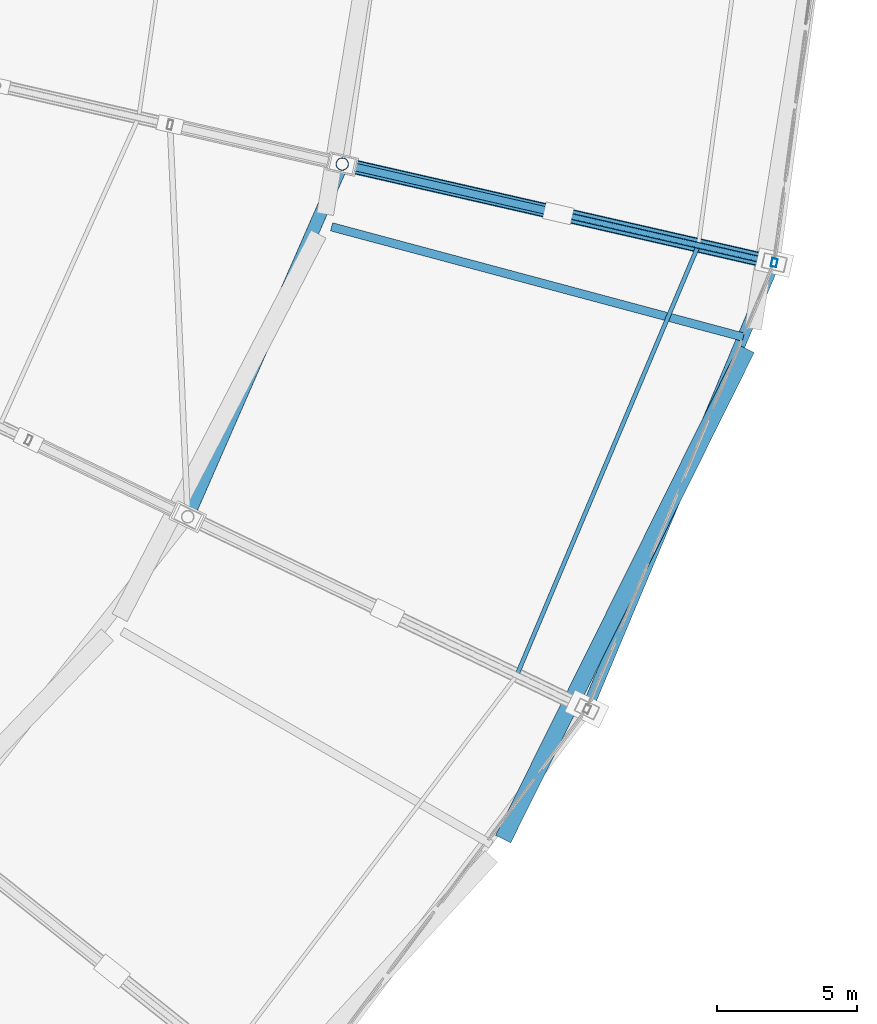
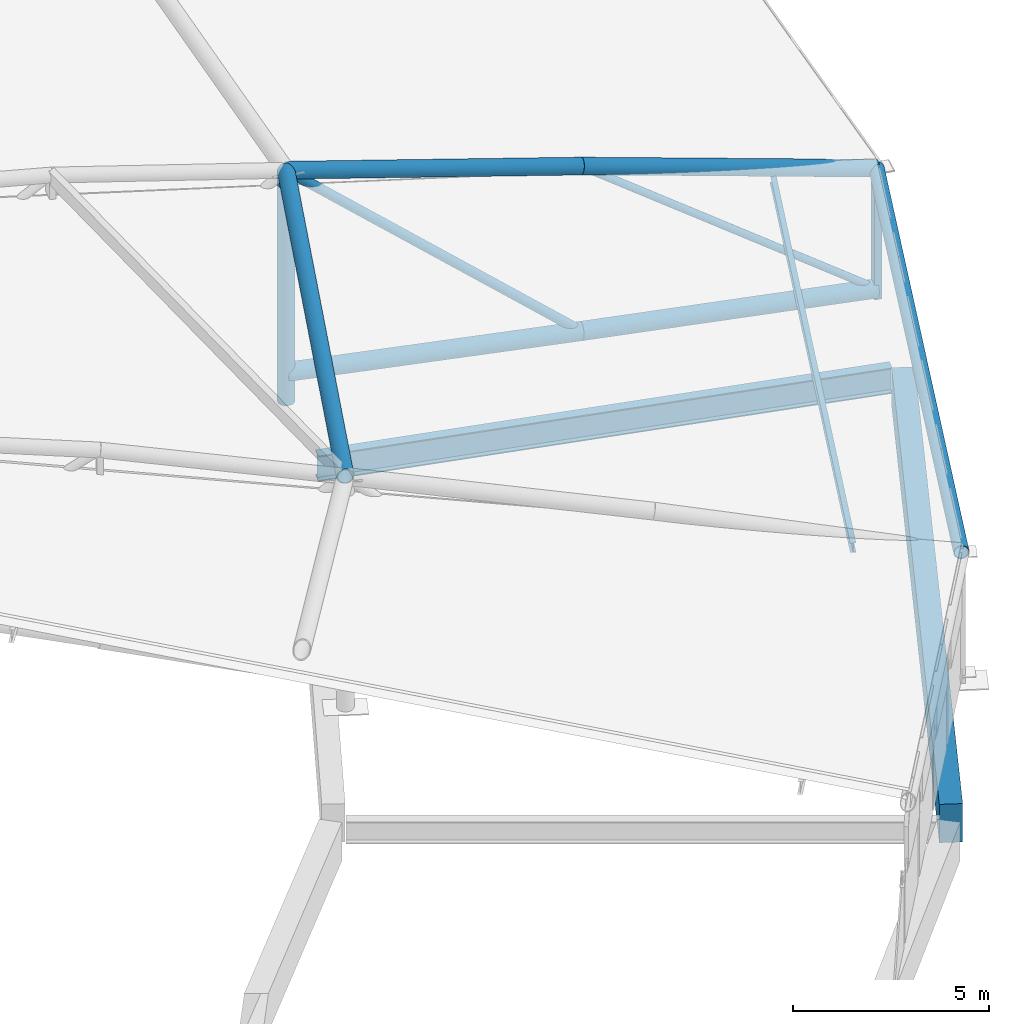
# One storey, part 68 of 108: 11 members, 2 beams.
"""IFC4 building model written with IfcOpenShell, lengths in metres."""

from ifc_helpers import new_model, si_unit, direction, frame, origin, origin_2d, place, context, subcontext, project, spatial, rectangle, hollow_rectangle, hollow_circle, i_section, extrude, material, material_profile, profile_set, type_object, element, save


model = new_model("IFC4")

# Units and contexts
model_context = context("Model", 3, precision=1e-05, world=origin(), true_north=direction((0.0, 1.0)))
body_context = subcontext(model_context, "Body", "Model", "MODEL_VIEW")
ifc_project = project(units=[si_unit("LENGTHUNIT", "METRE"), si_unit("AREAUNIT", "SQUARE_METRE"), si_unit("VOLUMEUNIT", "CUBIC_METRE"), si_unit("PLANEANGLEUNIT", "RADIAN"), si_unit("MASSUNIT", "GRAM", prefix="KILO")], contexts=[model_context])

# Site, building, storey
site_placement = place(None, origin())
site = spatial("IfcSite", under=ifc_project, at=site_placement, CompositionType="ELEMENT")
building_placement = place(site_placement, origin())
building = spatial("IfcBuilding", under=site, at=building_placement, Name="Zevraka Park Crest Stadium", CompositionType="ELEMENT")
storey_placement = place(building_placement, frame((0.0, 0.0, 29.39990234375)))
storey = spatial("IfcBuildingStorey", under=building, at=storey_placement, Name="RF", CompositionType="ELEMENT", Elevation=29.39990234375)

# Beam
ifc_material_1 = material(Name="Steel S355", Category="steel")
ifc_material_profile_1 = material_profile(ifc_material_1, i_section(OverallWidth=0.300048828125, OverallDepth=0.800048828125, WebThickness=0.017578125, FlangeThickness=0.032958984375, at=origin_2d()), Name="HEB 800")
ifc_profile_set_1 = profile_set([ifc_material_profile_1], Name="Steel S355")
beam_type_1 = type_object("IfcBeamType", Name="BG10", PredefinedType="BEAM", material=ifc_profile_set_1)
beam_1_placement = place(storey_placement, frame((184.2509765625, 76.52197265625, -0.534912109375), z_axis=(0.965945614181, -0.25874518439, 0.0), x_axis=(0.25874518439, 0.965945614181, 0.0)))
element("IfcBeam", 1, at=beam_1_placement, inside=storey, type_object=beam_type_1, Name="Radial Girder BG10 RF-BD-23", PredefinedType="BEAM", context=body_context, shape_type="SweptSolid", body=[
    extrude(i_section(OverallWidth=0.300048828125, OverallDepth=0.800048828125, WebThickness=0.017578125, FlangeThickness=0.032958984375, at=origin_2d()), origin(), (0.0, 0.0, 1.0), 15.19970703125),
])

# Member
ifc_material_2 = material(Name="Steel S355", Category="steel")
ifc_material_profile_2 = material_profile(ifc_material_2, i_section(OverallWidth=0.14990234375, OverallDepth=0.300048828125, WebThickness=0.007080078125, FlangeThickness=0.0107421875, at=origin_2d()), Name="IPE 300")
ifc_profile_set_2 = profile_set([ifc_material_profile_2], Name="Steel S355")
member_type_1 = type_object("IfcMemberType", Name="PR02", PredefinedType="PURLIN", material=ifc_profile_set_2)
member_1_placement = place(storey_placement, frame((190.85595703125, 60.532958984375, 4.287109375), z_axis=(0.389065562853, 0.921210067141, 0.0), x_axis=(-0.921210067141, 0.389065562853, 0.0)))
element("IfcMember", 2, at=member_1_placement, inside=storey, type_object=member_type_1, Name="Canopy Roof Purlin PR02 OUTER-27-1", PredefinedType="PURLIN", context=body_context, shape_type="SweptSolid", body=[
    extrude(i_section(OverallWidth=0.14990234375, OverallDepth=0.300048828125, WebThickness=0.007080078125, FlangeThickness=0.0107421875, at=origin_2d()), origin(), (0.0, 0.0, 1.0), 16.64013671875),
])

# Beam
ifc_material_3 = material(Name="Concrete C40/50", Category="concrete")
ifc_material_profile_3 = material_profile(ifc_material_3, rectangle(XDim=0.60009765625, YDim=1.199951171875, at=origin_2d()), Name="RC 1200x600")
ifc_profile_set_3 = profile_set([ifc_material_profile_3], Name="Concrete C40/50")
beam_type_2 = type_object("IfcBeamType", Name="RB01", PredefinedType="BEAM", material=ifc_profile_set_3)
beam_2_placement = place(storey_placement, frame((190.37109375, 54.68994140625, -0.599853515625), z_axis=(0.444850507814, 0.895604837916, 0.0), x_axis=(-0.895604837916, 0.444850507814, 0.0)))
element("IfcBeam", 3, at=beam_2_placement, inside=storey, type_object=beam_type_2, Name="Ring Beam RB01 RF-D-22", PredefinedType="BEAM", context=body_context, shape_type="SweptSolid", body=[
    extrude(rectangle(XDim=0.60009765625, YDim=1.199951171875, at=origin_2d()), origin(), (0.0, 0.0, 1.0), 19.5185546875),
])

# Members
ifc_material_4 = material(Name="Steel S355", Category="steel")
ifc_material_profile_4 = material_profile(ifc_material_4, hollow_circle(Radius=0.25390625, WallThickness=0.030029296875, at=origin_2d()), Name="CHS 508.0x30")
ifc_profile_set_4 = profile_set([ifc_material_profile_4], Name="Steel S355")
member_type_2 = type_object("IfcMemberType", Name="TC01", PredefinedType="CHORD", material=ifc_profile_set_4)
member_2_placement = place(storey_placement, frame((200.035888671875, 75.243896484375, 0.25), z_axis=(-0.974221443169, 0.222378312114, 0.037953471127), x_axis=(-0.222538649551, -0.974923868544, 0.0)))
element("IfcMember", 4, at=member_2_placement, inside=storey, type_object=member_type_2, Name="Roof Truss Bottom Chord TC01 T28-1", PredefinedType="CHORD", context=body_context, shape_type="SweptSolid", body=[
    extrude(hollow_circle(Radius=0.25390625, WallThickness=0.030029296875, at=origin_2d()), origin(), (0.0, 0.0, 1.0), 7.90576171875),
])
member_3_placement = place(storey_placement, frame((192.333984375, 77.001953125, 0.550048828125), z_axis=(-0.97396794057, 0.222320446954, 0.044272673369), x_axis=(-0.222538649551, -0.974923868544, 0.0)))
element("IfcMember", 5, at=member_3_placement, inside=storey, type_object=member_type_2, Name="Roof Truss Bottom Chord TC01 T28-2", PredefinedType="CHORD", context=body_context, shape_type="SweptSolid", body=[
    extrude(hollow_circle(Radius=0.25390625, WallThickness=0.030029296875, at=origin_2d()), origin(), (0.0, 0.0, 1.0), 7.90771484375),
])
ifc_material_5 = material(Name="Steel S355", Category="steel")
ifc_material_profile_5 = material_profile(ifc_material_5, hollow_circle(Radius=0.228515625, WallThickness=0.02490234375, at=origin_2d()), Name="CHS 457.0x25")
ifc_profile_set_5 = profile_set([ifc_material_profile_5], Name="Steel S355")
member_type_3 = type_object("IfcMemberType", Name="TC02", PredefinedType="CHORD", material=ifc_profile_set_5)
member_4_placement = place(storey_placement, frame((184.632080078125, 78.760009765625, 0.0), z_axis=(0.0, 0.0, 1.0), x_axis=(-0.974916814618, 0.222569549971, 0.0)))
element("IfcMember", 6, at=member_4_placement, inside=storey, type_object=member_type_3, Name="Roof Truss Anchor Strut TC02 T28-2", PredefinedType="CHORD", context=body_context, shape_type="SweptSolid", body=[
    extrude(hollow_circle(Radius=0.228515625, WallThickness=0.02490234375, at=origin_2d()), origin(), (0.0, 0.0, 1.0), 7.2001953125),
])
member_5_placement = place(storey_placement, frame((200.035888671875, 75.243896484375, 4.0), z_axis=(-0.953101185452, 0.217557347337, 0.210397079136), x_axis=(-0.222538649551, -0.974923868544, 0.0)))
element("IfcMember", 7, at=member_5_placement, inside=storey, type_object=member_type_3, Name="Roof Truss Top Chord TC02 T28-1", PredefinedType="CHORD", context=body_context, shape_type="SweptSolid", body=[
    extrude(hollow_circle(Radius=0.228515625, WallThickness=0.02490234375, at=origin_2d()), origin(), (0.0, 0.0, 1.0), 8.080810546875),
])
member_6_placement = place(storey_placement, frame((192.333984375, 77.001953125, 5.7001953125), z_axis=(-0.957811298019, 0.218632489842, 0.186540482931), x_axis=(-0.222538649551, -0.974923868544, 0.0)))
element("IfcMember", 8, at=member_6_placement, inside=storey, type_object=member_type_3, Name="Roof Truss Top Chord TC02 T28-2", PredefinedType="CHORD", context=body_context, shape_type="SweptSolid", body=[
    extrude(hollow_circle(Radius=0.228515625, WallThickness=0.02490234375, at=origin_2d()), origin(), (0.0, 0.0, 1.0), 8.041259765625),
])
member_7_placement = place(storey_placement, frame((179.1220703125, 66.18408203125, 7.2001953125), z_axis=(0.401310361538, 0.915942134484, 0.0), x_axis=(-0.915942134484, 0.401310361538, 0.0)))
element("IfcMember", 9, at=member_7_placement, inside=storey, type_object=member_type_3, Name="Roof Main Bowl-Rim Ring Chord TC02 27", PredefinedType="CHORD", context=body_context, shape_type="SweptSolid", body=[
    extrude(hollow_circle(Radius=0.228515625, WallThickness=0.02490234375, at=origin_2d()), origin(), (0.0, 0.0, 1.0), 13.72998046875),
])
ifc_material_6 = material(Name="Steel S355", Category="steel")
ifc_material_profile_6 = material_profile(ifc_material_6, hollow_circle(Radius=0.203125, WallThickness=0.02001953125, at=origin_2d()), Name="CHS 406.4x20")
ifc_profile_set_6 = profile_set([ifc_material_profile_6], Name="Steel S355")
member_type_4 = type_object("IfcMemberType", Name="TC03", PredefinedType="CHORD", material=ifc_profile_set_6)
member_8_placement = place(storey_placement, frame((193.35693359375, 59.3291015625, 4.0), z_axis=(0.386973466907, 0.922090850139, 0.0), x_axis=(-0.922090850139, 0.386973466907, 0.0)))
element("IfcMember", 10, at=member_8_placement, inside=storey, type_object=member_type_4, Name="Roof Outer Canopy Ring Chord TC03 27", PredefinedType="CHORD", context=body_context, shape_type="SweptSolid", body=[
    extrude(hollow_circle(Radius=0.203125, WallThickness=0.02001953125, at=origin_2d()), origin(), (0.0, 0.0, 1.0), 17.259521484375),
])
ifc_material_7 = material(Name="Steel S355", Category="steel")
ifc_material_profile_7 = material_profile(ifc_material_7, hollow_circle(Radius=0.136474609375, WallThickness=0.012451171875, at=origin_2d()), Name="CHS 273.0x12.5")
ifc_profile_set_7 = profile_set([ifc_material_profile_7], Name="Steel S355")
member_type_5 = type_object("IfcMemberType", Name="WB01", PredefinedType="BRACE", material=ifc_profile_set_7)
member_9_placement = place(storey_placement, frame((192.333984375, 77.001953125, 0.550048828125), z_axis=(-0.745846000859, 0.170248741629, 0.643994649805), x_axis=(-0.222538649551, -0.974923868544, 0.0)))
element("IfcMember", 11, at=member_9_placement, inside=storey, type_object=member_type_5, Name="Roof Truss Web Diagonal WB01 T28-2", PredefinedType="BRACE", context=body_context, shape_type="SweptSolid", body=[
    extrude(hollow_circle(Radius=0.136474609375, WallThickness=0.012451171875, at=origin_2d()), origin(), (0.0, 0.0, 1.0), 10.326416015625),
])
ifc_material_8 = material(Name="Steel S355", Category="steel")
ifc_material_profile_8 = material_profile(ifc_material_8, hollow_circle(Radius=0.109619140625, WallThickness=0.010009765625, at=origin_2d()), Name="CHS 219.1x10")
ifc_profile_set_8 = profile_set([ifc_material_profile_8], Name="Steel S355")
member_type_6 = type_object("IfcMemberType", Name="WB02", PredefinedType="BRACE", material=ifc_profile_set_8)
member_10_placement = place(storey_placement, frame((200.035888671875, 75.243896484375, 0.25), z_axis=(-0.802478850294, 0.183175902652, 0.56786819203), x_axis=(-0.222538649551, -0.974923868544, 0.0)))
element("IfcMember", 12, at=member_10_placement, inside=storey, type_object=member_type_6, Name="Roof Truss Web Diagonal WB02 T28-1", PredefinedType="BRACE", context=body_context, shape_type="SweptSolid", body=[
    extrude(hollow_circle(Radius=0.109619140625, WallThickness=0.010009765625, at=origin_2d()), origin(), (0.0, 0.0, 1.0), 9.59765625),
])
ifc_material_9 = material(Name="Steel S355", Category="steel")
ifc_material_profile_9 = material_profile(ifc_material_9, hollow_rectangle(XDim=0.199951171875, YDim=0.300048828125, WallThickness=0.012451171875, at=origin_2d()), Name="RHS 300x200x12.5")
ifc_profile_set_9 = profile_set([ifc_material_profile_9], Name="Steel S355")
member_type_7 = type_object("IfcMemberType", Name="WB03", PredefinedType="BRACE", material=ifc_profile_set_9)
member_11_placement = place(storey_placement, frame((200.035888671875, 75.243896484375, 0.0), z_axis=(0.0, 0.0, 1.0), x_axis=(-0.974916814618, 0.222569549971, 0.0)))
element("IfcMember", 13, at=member_11_placement, inside=storey, type_object=member_type_7, Name="Roof Truss Anchor Strut WB03 T28-0", PredefinedType="BRACE", context=body_context, shape_type="SweptSolid", body=[
    extrude(hollow_rectangle(XDim=0.199951171875, YDim=0.300048828125, WallThickness=0.012451171875, at=origin_2d()), origin(), (0.0, 0.0, 1.0), 4.0),
])

save(model, "model.ifc")
